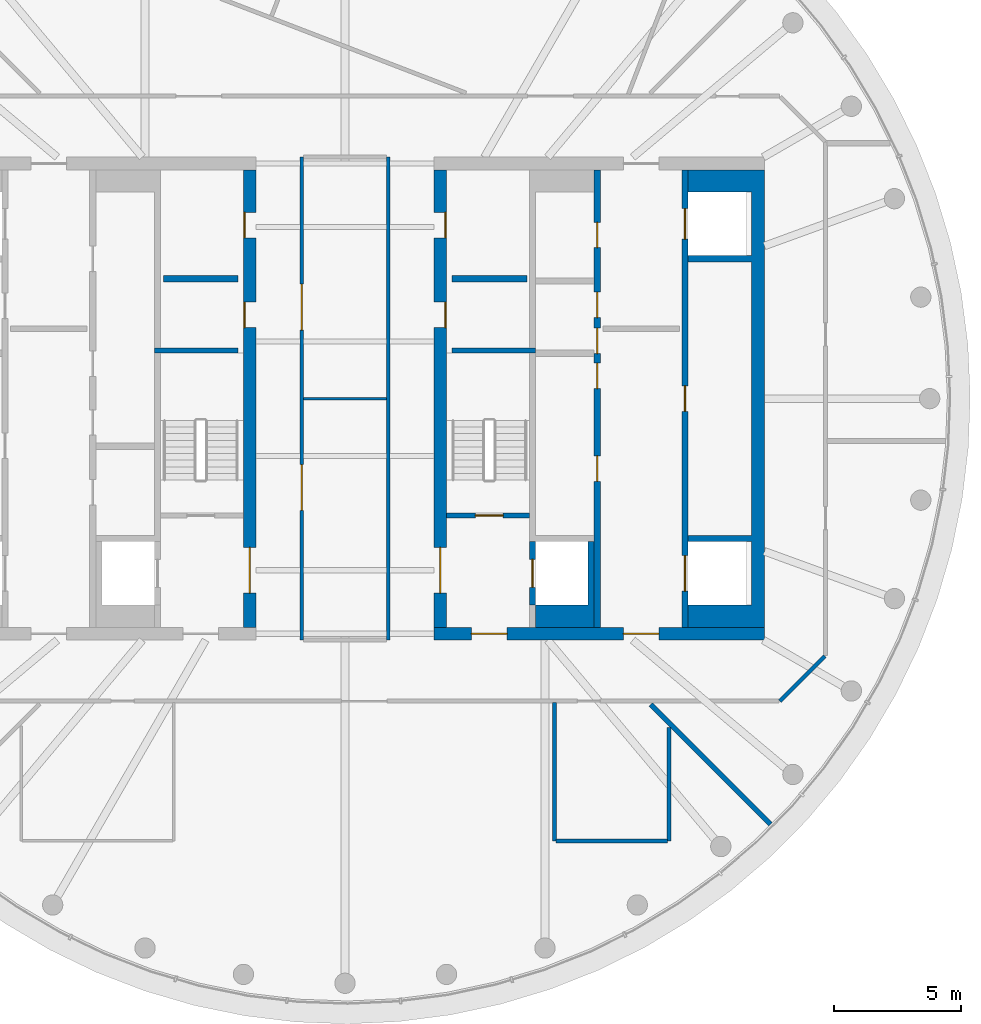
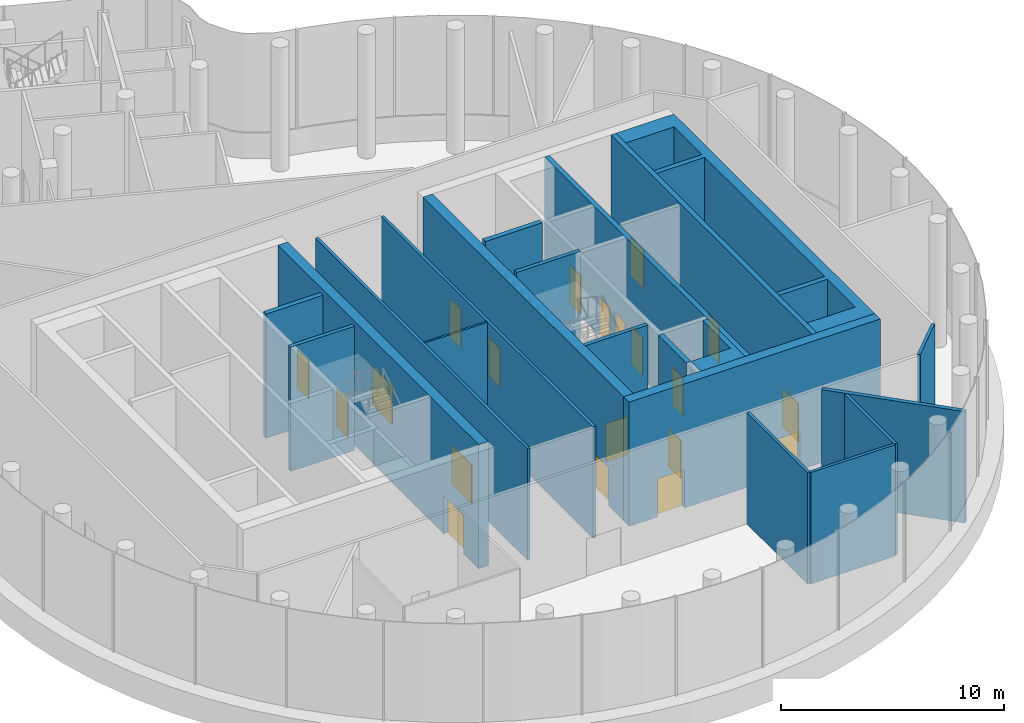
# One storey, part 9 of 12: 21 walls, 20 doors, 20 openings.
"""IFC4 building model written with IfcOpenShell, lengths in metres."""

from ifc_helpers import new_model, si_unit, direction, frame, frame_2d, origin, place, context, subcontext, project, spatial, polyline, rectangle, outline, extrude, material, layer, layer_set, type_object, element, fill, save


model = new_model("IFC4")

# Units and contexts
model_context = context("Model", 3, precision=1e-05, world=origin(), true_north=direction((0.0, 1.0)))
body_context = subcontext(model_context, "Body", "Model", "MODEL_VIEW")
ifc_project = project(units=[si_unit("LENGTHUNIT", "METRE"), si_unit("AREAUNIT", "SQUARE_METRE"), si_unit("VOLUMEUNIT", "CUBIC_METRE"), si_unit("PLANEANGLEUNIT", "RADIAN"), si_unit("MASSUNIT", "GRAM", prefix="KILO")], contexts=[model_context])

# Site, building, storey
site_placement = place(None, origin())
site = spatial("IfcSite", under=ifc_project, at=site_placement, CompositionType="ELEMENT")
building_placement = place(site_placement, origin())
building = spatial("IfcBuilding", under=site, at=building_placement, Name="Tamarind Cross Interchange Tower", CompositionType="ELEMENT")
storey_placement = place(building_placement, frame((0.0, 0.0, 287.39990234375)))
storey = spatial("IfcBuildingStorey", under=building, at=storey_placement, Name="L72", CompositionType="ELEMENT", Elevation=287.39990234375)

# Wall, openings, doors
ifc_material_1 = material(Name="Concrete C50", Category="concrete")
ifc_layer_1 = layer(ifc_material_1, 0.5)
ifc_layer_set_1 = layer_set([ifc_layer_1], Name="Concrete C50")
wall_type_1 = type_object("IfcWallType", Name="Core wall 500 mm Concrete C50", PredefinedType="SHEAR", material=ifc_layer_set_1)
wall_1_placement = place(storey_placement, frame((-3.75, -9.0, 0.0), z_axis=(0.0, 0.0, 1.0), x_axis=(0.0, 1.0, 0.0)))
wall_1 = element("IfcWall", 1, at=wall_1_placement, inside=storey, type_object=wall_type_1, Name="Core wall CWL-L72-W-IN", PredefinedType="SHEAR", context=body_context, shape_type="SweptSolid", body=[
    extrude(rectangle(XDim=18.0, YDim=0.5, at=frame_2d((9.0, 0.0))), origin(), (0.0, 0.0, 1.0), 6.800048828125),
])
opening_1_placement = place(wall_1_placement, frame((1.35009765625, 0.0, 0.0)))
opening_1 = element("IfcOpeningElement", 2, at=opening_1_placement, cuts=wall_1, Name="Opening DCW4", PredefinedType="OPENING", context=body_context, shape_type="SweptSolid", body=[
    extrude(rectangle(XDim=1.800048828125, YDim=2.10009765625, at=frame_2d((0.89990234375, 1.050048828125))), frame((0.0, 0.260009765625, 0.0), z_axis=(0.0, -1.0, 0.0), x_axis=(1.0, 0.0, 0.0)), (0.0, 0.0, 1.0), 0.52001953125),
])
opening_2_placement = place(wall_1_placement, frame((11.797607421875, 0.0, 0.0)))
opening_2 = element("IfcOpeningElement", 3, at=opening_2_placement, cuts=wall_1, Name="Opening DCW5", PredefinedType="OPENING", context=body_context, shape_type="SweptSolid", body=[
    extrude(rectangle(XDim=1.0, YDim=2.10009765625, at=frame_2d((0.5, 1.050048828125))), frame((0.0, 0.260009765625, 0.0), z_axis=(0.0, -1.0, 0.0), x_axis=(1.0, 0.0, 0.0)), (0.0, 0.0, 1.0), 0.52001953125),
])
opening_3_placement = place(wall_1_placement, frame((15.322509765625, 0.0, 0.0)))
opening_3 = element("IfcOpeningElement", 4, at=opening_3_placement, cuts=wall_1, Name="Opening DCW5", PredefinedType="OPENING", context=body_context, shape_type="SweptSolid", body=[
    extrude(rectangle(XDim=1.0, YDim=2.10009765625, at=frame_2d((0.5, 1.050048828125))), frame((0.0, 0.260009765625, 0.0), z_axis=(0.0, -1.0, 0.0), x_axis=(1.0, 0.0, 0.0)), (0.0, 0.0, 1.0), 0.52001953125),
])
ifc_material_2 = material(Name="Steel, fire-resisting", Category="steel")
door_type_1 = type_object("IfcDoorType", Name="Core fire door 1000 x 2100 FD90", OperationType="SINGLE_SWING_LEFT", PredefinedType="DOOR", material=ifc_material_2)
door_1_placement = place(opening_2_placement, origin())
door_1 = element("IfcDoor", 5, at=door_1_placement, inside=storey, type_object=door_type_1, Name="L72 catering store door", OperationType="SINGLE_SWING_LEFT", OverallHeight=2.10009765625, OverallWidth=1.0, PredefinedType="DOOR", context=body_context, shape_type="SweptSolid", body=[
    extrude(rectangle(XDim=1.0, YDim=2.10009765625, at=frame_2d((0.5, 1.050048828125))), frame((0.0, 0.22509765625, 0.0), z_axis=(0.0, -1.0, 0.0), x_axis=(1.0, 0.0, 0.0)), (0.0, 0.0, 1.0), 0.050048828125),
])
fill(opening_2, door_1)
door_2_placement = place(opening_3_placement, origin())
door_2 = element("IfcDoor", 6, at=door_2_placement, inside=storey, type_object=door_type_1, Name="L72 cleaner's store door", OperationType="SINGLE_SWING_LEFT", OverallHeight=2.10009765625, OverallWidth=1.0, PredefinedType="DOOR", context=body_context, shape_type="SweptSolid", body=[
    extrude(rectangle(XDim=1.0, YDim=2.10009765625, at=frame_2d((0.5, 1.050048828125))), frame((0.0, 0.22509765625, 0.0), z_axis=(0.0, -1.0, 0.0), x_axis=(1.0, 0.0, 0.0)), (0.0, 0.0, 1.0), 0.050048828125),
])
fill(opening_3, door_2)
door_type_2 = type_object("IfcDoorType", Name="Core fire door 1800 x 2100 FD90", OperationType="SINGLE_SWING_LEFT", PredefinedType="DOOR", material=ifc_material_2)
door_3_placement = place(opening_1_placement, origin())
door_3 = element("IfcDoor", 7, at=door_3_placement, inside=storey, type_object=door_type_2, Name="L72 firefighting lobby door", OperationType="SINGLE_SWING_LEFT", OverallHeight=2.10009765625, OverallWidth=1.800048828125, PredefinedType="DOOR", context=body_context, shape_type="SweptSolid", body=[
    extrude(rectangle(XDim=1.800048828125, YDim=2.10009765625, at=frame_2d((0.89990234375, 1.050048828125))), frame((0.0, 0.02490234375, 0.0), z_axis=(0.0, -1.0, 0.0), x_axis=(1.0, 0.0, 0.0)), (0.0, 0.0, 1.0), 0.050048828125),
])
fill(opening_1, door_3)

wall_2_placement = place(storey_placement, frame((16.5, -9.25, 0.0), z_axis=(0.0, 0.0, 1.0), x_axis=(-1.0, 0.0, 0.0)))
wall_2 = element("IfcWall", 8, at=wall_2_placement, inside=storey, type_object=wall_type_1, Name="Core wall CWL-L72-E-S", PredefinedType="SHEAR", context=body_context, shape_type="SweptSolid", body=[
    extrude(rectangle(XDim=13.0, YDim=0.5, at=frame_2d((6.5, 0.0))), origin(), (0.0, 0.0, 1.0), 6.800048828125),
])
opening_4_placement = place(wall_2_placement, frame((4.14990234375, 0.0, 0.0)))
opening_4 = element("IfcOpeningElement", 9, at=opening_4_placement, cuts=wall_2, Name="Opening DCE1", PredefinedType="OPENING", context=body_context, shape_type="SweptSolid", body=[
    extrude(rectangle(XDim=1.39990234375, YDim=2.10009765625, at=frame_2d((0.699951171875, 1.050048828125))), frame((0.0, 0.260009765625, 0.0), z_axis=(0.0, -1.0, 0.0), x_axis=(1.0, 0.0, 0.0)), (0.0, 0.0, 1.0), 0.52001953125),
])
opening_5_placement = place(wall_2_placement, frame((10.125, 0.0, 0.0)))
opening_5 = element("IfcOpeningElement", 10, at=opening_5_placement, cuts=wall_2, Name="Opening DCEF", PredefinedType="OPENING", context=body_context, shape_type="SweptSolid", body=[
    extrude(rectangle(XDim=1.39990234375, YDim=2.10009765625, at=frame_2d((0.699951171875, 1.050048828125))), frame((0.0, 0.260009765625, 0.0), z_axis=(0.0, -1.0, 0.0), x_axis=(1.0, 0.0, 0.0)), (0.0, 0.0, 1.0), 0.52001953125),
])
door_type_3 = type_object("IfcDoorType", Name="Core fire door 1400 x 2100 FD90", OperationType="SINGLE_SWING_LEFT", PredefinedType="DOOR", material=ifc_material_2)
door_4_placement = place(opening_4_placement, origin())
door_4 = element("IfcDoor", 11, at=door_4_placement, inside=storey, type_object=door_type_3, Name="L72 lift lobby door", OperationType="SINGLE_SWING_LEFT", OverallHeight=2.10009765625, OverallWidth=1.39990234375, PredefinedType="DOOR", context=body_context, shape_type="SweptSolid", body=[
    extrude(rectangle(XDim=1.39990234375, YDim=2.10009765625, at=frame_2d((0.699951171875, 1.050048828125))), frame((0.0, 0.02490234375, 0.0), z_axis=(0.0, -1.0, 0.0), x_axis=(1.0, 0.0, 0.0)), (0.0, 0.0, 1.0), 0.050048828125),
])
fill(opening_4, door_4)
door_5_placement = place(opening_5_placement, origin())
door_5 = element("IfcDoor", 12, at=door_5_placement, inside=storey, type_object=door_type_3, Name="L72 firefighting lobby end door", OperationType="SINGLE_SWING_LEFT", OverallHeight=2.10009765625, OverallWidth=1.39990234375, PredefinedType="DOOR", context=body_context, shape_type="SweptSolid", body=[
    extrude(rectangle(XDim=1.39990234375, YDim=2.10009765625, at=frame_2d((0.699951171875, 1.050048828125))), frame((0.0, 0.02490234375, 0.0), z_axis=(0.0, -1.0, 0.0), x_axis=(1.0, 0.0, 0.0)), (0.0, 0.0, 1.0), 0.050048828125),
])
fill(opening_5, door_5)

# Wall
wall_3_placement = place(storey_placement, origin())
element("IfcWall", 13, at=wall_3_placement, inside=storey, type_object=wall_type_1, Name="Core wall CWL-L72-E-A", PredefinedType="SHEAR", context=body_context, shape_type="SweptSolid", body=[
    extrude(outline(polyline([(13.5, -8.125), (13.5, -9.0), (16.0, -9.0), (16.5, -9.0), (16.5, 9.0), (16.0, 9.0), (13.5, 9.0), (13.5, 8.125), (16.0, 8.125), (16.0, 5.625), (13.5, 5.625), (13.5, 5.375), (16.0, 5.375), (16.0, -5.375), (13.5, -5.375), (13.5, -5.625), (16.0, -5.625), (16.0, -8.125), (13.5, -8.125)])), origin(), (0.0, 0.0, 1.0), 6.800048828125),
])

# Wall, openings, doors
wall_4_placement = place(storey_placement, frame((3.75, -9.0, 0.0), z_axis=(0.0, 0.0, 1.0), x_axis=(0.0, 1.0, 0.0)))
wall_4 = element("IfcWall", 14, at=wall_4_placement, inside=storey, type_object=wall_type_1, Name="Core wall CWL-L72-E-IN", PredefinedType="SHEAR", context=body_context, shape_type="SweptSolid", body=[
    extrude(rectangle(XDim=18.0, YDim=0.5, at=frame_2d((9.0, 0.0))), origin(), (0.0, 0.0, 1.0), 6.800048828125),
])
opening_6_placement = place(wall_4_placement, frame((1.35009765625, 0.0, 0.0)))
opening_6 = element("IfcOpeningElement", 15, at=opening_6_placement, cuts=wall_4, Name="Opening DCE4", PredefinedType="OPENING", context=body_context, shape_type="SweptSolid", body=[
    extrude(rectangle(XDim=1.800048828125, YDim=2.10009765625, at=frame_2d((0.89990234375, 1.050048828125))), frame((0.0, 0.260009765625, 0.0), z_axis=(0.0, -1.0, 0.0), x_axis=(1.0, 0.0, 0.0)), (0.0, 0.0, 1.0), 0.52001953125),
])
opening_7_placement = place(wall_4_placement, frame((11.797607421875, 0.0, 0.0)))
opening_7 = element("IfcOpeningElement", 16, at=opening_7_placement, cuts=wall_4, Name="Opening DCE5", PredefinedType="OPENING", context=body_context, shape_type="SweptSolid", body=[
    extrude(rectangle(XDim=1.0, YDim=2.10009765625, at=frame_2d((0.5, 1.050048828125))), frame((0.0, 0.260009765625, 0.0), z_axis=(0.0, -1.0, 0.0), x_axis=(1.0, 0.0, 0.0)), (0.0, 0.0, 1.0), 0.52001953125),
])
opening_8_placement = place(wall_4_placement, frame((15.322509765625, 0.0, 0.0)))
opening_8 = element("IfcOpeningElement", 17, at=opening_8_placement, cuts=wall_4, Name="Opening DCE5", PredefinedType="OPENING", context=body_context, shape_type="SweptSolid", body=[
    extrude(rectangle(XDim=1.0, YDim=2.10009765625, at=frame_2d((0.5, 1.050048828125))), frame((0.0, 0.260009765625, 0.0), z_axis=(0.0, -1.0, 0.0), x_axis=(1.0, 0.0, 0.0)), (0.0, 0.0, 1.0), 0.52001953125),
])
door_6_placement = place(opening_7_placement, origin())
door_6 = element("IfcDoor", 18, at=door_6_placement, inside=storey, type_object=door_type_1, Name="L72 catering store door", OperationType="SINGLE_SWING_LEFT", OverallHeight=2.10009765625, OverallWidth=1.0, PredefinedType="DOOR", context=body_context, shape_type="SweptSolid", body=[
    extrude(rectangle(XDim=1.0, YDim=2.10009765625, at=frame_2d((0.5, 1.050048828125))), frame((0.0, -0.1748046875, 0.0), z_axis=(0.0, -1.0, 0.0), x_axis=(1.0, 0.0, 0.0)), (0.0, 0.0, 1.0), 0.050048828125),
])
fill(opening_7, door_6)
door_7_placement = place(opening_8_placement, origin())
door_7 = element("IfcDoor", 19, at=door_7_placement, inside=storey, type_object=door_type_1, Name="L72 cleaner's store door", OperationType="SINGLE_SWING_LEFT", OverallHeight=2.10009765625, OverallWidth=1.0, PredefinedType="DOOR", context=body_context, shape_type="SweptSolid", body=[
    extrude(rectangle(XDim=1.0, YDim=2.10009765625, at=frame_2d((0.5, 1.050048828125))), frame((0.0, -0.1748046875, 0.0), z_axis=(0.0, -1.0, 0.0), x_axis=(1.0, 0.0, 0.0)), (0.0, 0.0, 1.0), 0.050048828125),
])
fill(opening_8, door_7)
door_8_placement = place(opening_6_placement, origin())
door_8 = element("IfcDoor", 20, at=door_8_placement, inside=storey, type_object=door_type_2, Name="L72 firefighting lobby door", OperationType="SINGLE_SWING_LEFT", OverallHeight=2.10009765625, OverallWidth=1.800048828125, PredefinedType="DOOR", context=body_context, shape_type="SweptSolid", body=[
    extrude(rectangle(XDim=1.800048828125, YDim=2.10009765625, at=frame_2d((0.89990234375, 1.050048828125))), frame((0.0, 0.02490234375, 0.0), z_axis=(0.0, -1.0, 0.0), x_axis=(1.0, 0.0, 0.0)), (0.0, 0.0, 1.0), 0.050048828125),
])
fill(opening_6, door_8)

# Walls
ifc_layer_2 = layer(ifc_material_1, 0.199951171875)
ifc_layer_set_2 = layer_set([ifc_layer_2], Name="Concrete C50")
wall_type_2 = type_object("IfcWallType", Name="Core web wall 200 mm Concrete C50", PredefinedType="SHEAR", material=ifc_layer_set_2)
for number, where, z_axis, x_axis, name in (
    (21, (-7.5, 1.89990234375, 0.0), (0.0, 0.0, 1.0), (1.0, 0.0, 0.0), "Core wall CWL-L72-W-BD"),
    (22, (7.5, 1.89990234375, 0.0), (0.0, 0.0, 1.0), (-1.0, 0.0, 0.0), "Core wall CWL-L72-E-BD"),
):
    element("IfcWall", number, at=place(storey_placement, frame(where, z_axis=z_axis, x_axis=x_axis)), inside=storey, type_object=wall_type_2, Name=name, PredefinedType="SHEAR", context=body_context, shape_type="SweptSolid", body=[
        extrude(rectangle(XDim=3.300048828125, YDim=0.199951171875, at=frame_2d((1.64990234375, 0.0))), origin(), (0.0, 0.0, 1.0), 6.800048828125),
    ])
ifc_layer_3 = layer(ifc_material_1, 0.25)
ifc_layer_set_3 = layer_set([ifc_layer_3], Name="Concrete C50")
wall_type_3 = type_object("IfcWallType", Name="Core web wall 250 mm Concrete C50", PredefinedType="SHEAR", material=ifc_layer_set_3)
wall_5_placement = place(storey_placement, origin())
element("IfcWall", 23, at=wall_5_placement, inside=storey, type_object=wall_type_3, Name="Core wall CWL-L72-E-BS", PredefinedType="SHEAR", context=body_context, shape_type="SweptSolid", body=[
    extrude(outline(polyline([(7.5, -8.125), (7.5, -9.0), (9.800048828125, -9.0), (9.800048828125, -8.125), (9.800048828125, -5.625), (9.550048828125, -5.625), (9.550048828125, -8.125), (7.5, -8.125)])), origin(), (0.0, 0.0, 1.0), 6.800048828125),
])

# Wall, openings, doors
wall_6_placement = place(storey_placement, frame((13.375, -9.0, 0.0), z_axis=(0.0, 0.0, 1.0), x_axis=(0.0, 1.0, 0.0)))
wall_6 = element("IfcWall", 24, at=wall_6_placement, inside=storey, type_object=wall_type_3, Name="Core wall CWL-L72-E-LA", PredefinedType="SHEAR", context=body_context, shape_type="SweptSolid", body=[
    extrude(rectangle(XDim=18.0, YDim=0.25, at=frame_2d((9.0, 0.0))), origin(), (0.0, 0.0, 1.0), 6.800048828125),
])
opening_9_placement = place(wall_6_placement, frame((1.425048828125, 0.0, 0.0)))
opening_9 = element("IfcOpeningElement", 25, at=opening_9_placement, cuts=wall_6, Name="Opening LD13L72", PredefinedType="OPENING", context=body_context, shape_type="SweptSolid", body=[
    extrude(rectangle(XDim=1.39990234375, YDim=2.10009765625, at=frame_2d((0.699951171875, 1.050048828125))), frame((0.0, 0.135009765625, 0.0), z_axis=(0.0, -1.0, 0.0), x_axis=(1.0, 0.0, 0.0)), (0.0, 0.0, 1.0), 0.27001953125),
])
opening_10_placement = place(wall_6_placement, frame((15.27490234375, 0.0, 0.0)))
opening_10 = element("IfcOpeningElement", 26, at=opening_10_placement, cuts=wall_6, Name="Opening LD18L72", PredefinedType="OPENING", context=body_context, shape_type="SweptSolid", body=[
    extrude(rectangle(XDim=1.199951171875, YDim=2.10009765625, at=frame_2d((0.60009765625, 1.050048828125))), frame((0.0, 0.135009765625, 0.0), z_axis=(0.0, -1.0, 0.0), x_axis=(1.0, 0.0, 0.0)), (0.0, 0.0, 1.0), 0.27001953125),
])
opening_11_placement = place(wall_6_placement, frame((8.5, 0.0, 0.0)))
opening_11 = element("IfcOpeningElement", 27, at=opening_11_placement, cuts=wall_6, Name="Opening DCE9", PredefinedType="OPENING", context=body_context, shape_type="SweptSolid", body=[
    extrude(rectangle(XDim=1.0, YDim=2.10009765625, at=frame_2d((0.5, 1.050048828125))), frame((0.0, 0.135009765625, 0.0), z_axis=(0.0, -1.0, 0.0), x_axis=(1.0, 0.0, 0.0)), (0.0, 0.0, 1.0), 0.27001953125),
])
door_9_placement = place(opening_11_placement, origin())
door_9 = element("IfcDoor", 28, at=door_9_placement, inside=storey, type_object=door_type_1, Name="L72 Guide's room door", OperationType="SINGLE_SWING_LEFT", OverallHeight=2.10009765625, OverallWidth=1.0, PredefinedType="DOOR", context=body_context, shape_type="SweptSolid", body=[
    extrude(rectangle(XDim=1.0, YDim=2.10009765625, at=frame_2d((0.5, 1.050048828125))), frame((0.0, 0.02490234375, 0.0), z_axis=(0.0, -1.0, 0.0), x_axis=(1.0, 0.0, 0.0)), (0.0, 0.0, 1.0), 0.050048828125),
])
fill(opening_11, door_9)
ifc_material_3 = material(Name="Stainless steel panel", Category="steel")
door_type_4 = type_object("IfcDoorType", Name="Lift landing door 1200 x 2100 E 120", OperationType="SLIDING_TO_LEFT", PredefinedType="DOOR", material=ifc_material_3)
door_10_placement = place(opening_10_placement, origin())
door_10 = element("IfcDoor", 29, at=door_10_placement, inside=storey, type_object=door_type_4, Name="L72 landing door LF18", OperationType="SLIDING_TO_LEFT", OverallHeight=2.10009765625, OverallWidth=1.199951171875, PredefinedType="DOOR", context=body_context, shape_type="SweptSolid", body=[
    extrude(rectangle(XDim=1.199951171875, YDim=2.10009765625, at=frame_2d((0.60009765625, 1.050048828125))), frame((0.0, 0.02490234375, 0.0), z_axis=(0.0, -1.0, 0.0), x_axis=(1.0, 0.0, 0.0)), (0.0, 0.0, 1.0), 0.050048828125),
])
fill(opening_10, door_10)
door_type_5 = type_object("IfcDoorType", Name="Lift landing door 1400 x 2100 E 120", OperationType="SLIDING_TO_LEFT", PredefinedType="DOOR", material=ifc_material_3)
door_11_placement = place(opening_9_placement, origin())
door_11 = element("IfcDoor", 30, at=door_11_placement, inside=storey, type_object=door_type_5, Name="L72 landing door LF13", OperationType="SLIDING_TO_LEFT", OverallHeight=2.10009765625, OverallWidth=1.39990234375, PredefinedType="DOOR", context=body_context, shape_type="SweptSolid", body=[
    extrude(rectangle(XDim=1.39990234375, YDim=2.10009765625, at=frame_2d((0.699951171875, 1.050048828125))), frame((0.0, 0.02490234375, 0.0), z_axis=(0.0, -1.0, 0.0), x_axis=(1.0, 0.0, 0.0)), (0.0, 0.0, 1.0), 0.050048828125),
])
fill(opening_9, door_11)

wall_7_placement = place(storey_placement, frame((9.925048828125, -9.0, 0.0), z_axis=(0.0, 0.0, 1.0), x_axis=(0.0, 1.0, 0.0)))
wall_7 = element("IfcWall", 31, at=wall_7_placement, inside=storey, type_object=wall_type_3, Name="Core wall CWL-L72-E-LB", PredefinedType="SHEAR", context=body_context, shape_type="SweptSolid", body=[
    extrude(rectangle(XDim=18.0, YDim=0.25, at=frame_2d((9.0, 0.0))), origin(), (0.0, 0.0, 1.0), 6.800048828125),
])
opening_12_placement = place(wall_7_placement, frame((5.75, 0.0, 0.0)))
opening_12 = element("IfcOpeningElement", 32, at=opening_12_placement, cuts=wall_7, Name="Opening DCE21", PredefinedType="OPENING", context=body_context, shape_type="SweptSolid", body=[
    extrude(rectangle(XDim=1.0, YDim=2.10009765625, at=frame_2d((0.5, 1.050048828125))), frame((0.0, 0.135009765625, 0.0), z_axis=(0.0, -1.0, 0.0), x_axis=(1.0, 0.0, 0.0)), (0.0, 0.0, 1.0), 0.27001953125),
])
opening_13_placement = place(wall_7_placement, frame((9.39599609375, 0.0, 0.0)))
opening_13 = element("IfcOpeningElement", 33, at=opening_13_placement, cuts=wall_7, Name="Opening DCE21", PredefinedType="OPENING", context=body_context, shape_type="SweptSolid", body=[
    extrude(rectangle(XDim=1.0, YDim=2.10009765625, at=frame_2d((0.5, 1.050048828125))), frame((0.0, 0.135009765625, 0.0), z_axis=(0.0, -1.0, 0.0), x_axis=(1.0, 0.0, 0.0)), (0.0, 0.0, 1.0), 0.27001953125),
])
opening_14_placement = place(wall_7_placement, frame((10.77099609375, 0.0, 0.0)))
opening_14 = element("IfcOpeningElement", 34, at=opening_14_placement, cuts=wall_7, Name="Opening DCE22", PredefinedType="OPENING", context=body_context, shape_type="SweptSolid", body=[
    extrude(rectangle(XDim=1.0, YDim=2.10009765625, at=frame_2d((0.5, 1.050048828125))), frame((0.0, 0.135009765625, 0.0), z_axis=(0.0, -1.0, 0.0), x_axis=(1.0, 0.0, 0.0)), (0.0, 0.0, 1.0), 0.27001953125),
])
opening_15_placement = place(wall_7_placement, frame((12.1875, 0.0, 0.0)))
opening_15 = element("IfcOpeningElement", 35, at=opening_15_placement, cuts=wall_7, Name="Opening DCE21", PredefinedType="OPENING", context=body_context, shape_type="SweptSolid", body=[
    extrude(rectangle(XDim=1.0, YDim=2.10009765625, at=frame_2d((0.5, 1.050048828125))), frame((0.0, 0.135009765625, 0.0), z_axis=(0.0, -1.0, 0.0), x_axis=(1.0, 0.0, 0.0)), (0.0, 0.0, 1.0), 0.27001953125),
])
opening_16_placement = place(wall_7_placement, frame((14.9375, 0.0, 0.0)))
opening_16 = element("IfcOpeningElement", 36, at=opening_16_placement, cuts=wall_7, Name="Opening DCE22", PredefinedType="OPENING", context=body_context, shape_type="SweptSolid", body=[
    extrude(rectangle(XDim=1.0, YDim=2.10009765625, at=frame_2d((0.5, 1.050048828125))), frame((0.0, 0.135009765625, 0.0), z_axis=(0.0, -1.0, 0.0), x_axis=(1.0, 0.0, 0.0)), (0.0, 0.0, 1.0), 0.27001953125),
])
door_12_placement = place(opening_12_placement, origin())
door_12 = element("IfcDoor", 37, at=door_12_placement, inside=storey, type_object=door_type_1, Name="L72 Cleaner's store door", OperationType="SINGLE_SWING_LEFT", OverallHeight=2.10009765625, OverallWidth=1.0, PredefinedType="DOOR", context=body_context, shape_type="SweptSolid", body=[
    extrude(rectangle(XDim=1.0, YDim=2.10009765625, at=frame_2d((0.5, 1.050048828125))), frame((0.0, 0.02490234375, 0.0), z_axis=(0.0, -1.0, 0.0), x_axis=(1.0, 0.0, 0.0)), (0.0, 0.0, 1.0), 0.050048828125),
])
fill(opening_12, door_12)
door_13_placement = place(opening_13_placement, origin())
door_13 = element("IfcDoor", 38, at=door_13_placement, inside=storey, type_object=door_type_1, Name="L72 First aid room door", OperationType="SINGLE_SWING_LEFT", OverallHeight=2.10009765625, OverallWidth=1.0, PredefinedType="DOOR", context=body_context, shape_type="SweptSolid", body=[
    extrude(rectangle(XDim=1.0, YDim=2.10009765625, at=frame_2d((0.5, 1.050048828125))), frame((0.0, 0.02490234375, 0.0), z_axis=(0.0, -1.0, 0.0), x_axis=(1.0, 0.0, 0.0)), (0.0, 0.0, 1.0), 0.050048828125),
])
fill(opening_13, door_13)
door_14_placement = place(opening_14_placement, origin())
door_14 = element("IfcDoor", 39, at=door_14_placement, inside=storey, type_object=door_type_1, Name="L72 Catering store door", OperationType="SINGLE_SWING_LEFT", OverallHeight=2.10009765625, OverallWidth=1.0, PredefinedType="DOOR", context=body_context, shape_type="SweptSolid", body=[
    extrude(rectangle(XDim=1.0, YDim=2.10009765625, at=frame_2d((0.5, 1.050048828125))), frame((0.0, 0.02490234375, 0.0), z_axis=(0.0, -1.0, 0.0), x_axis=(1.0, 0.0, 0.0)), (0.0, 0.0, 1.0), 0.050048828125),
])
fill(opening_14, door_14)
door_15_placement = place(opening_15_placement, origin())
door_15 = element("IfcDoor", 40, at=door_15_placement, inside=storey, type_object=door_type_1, Name="L72 Catering store door", OperationType="SINGLE_SWING_LEFT", OverallHeight=2.10009765625, OverallWidth=1.0, PredefinedType="DOOR", context=body_context, shape_type="SweptSolid", body=[
    extrude(rectangle(XDim=1.0, YDim=2.10009765625, at=frame_2d((0.5, 1.050048828125))), frame((0.0, 0.02490234375, 0.0), z_axis=(0.0, -1.0, 0.0), x_axis=(1.0, 0.0, 0.0)), (0.0, 0.0, 1.0), 0.050048828125),
])
fill(opening_15, door_15)
door_16_placement = place(opening_16_placement, origin())
door_16 = element("IfcDoor", 41, at=door_16_placement, inside=storey, type_object=door_type_1, Name="L72 Cleaner's store door", OperationType="SINGLE_SWING_LEFT", OverallHeight=2.10009765625, OverallWidth=1.0, PredefinedType="DOOR", context=body_context, shape_type="SweptSolid", body=[
    extrude(rectangle(XDim=1.0, YDim=2.10009765625, at=frame_2d((0.5, 1.050048828125))), frame((0.0, 0.02490234375, 0.0), z_axis=(0.0, -1.0, 0.0), x_axis=(1.0, 0.0, 0.0)), (0.0, 0.0, 1.0), 0.050048828125),
])
fill(opening_16, door_16)

# Wall, opening, door
wall_8_placement = place(storey_placement, frame((7.375, -8.125, 0.0), z_axis=(0.0, 0.0, 1.0), x_axis=(0.0, 1.0, 0.0)))
wall_8 = element("IfcWall", 42, at=wall_8_placement, inside=storey, type_object=wall_type_3, Name="Core wall CWL-L72-E-FF", PredefinedType="SHEAR", context=body_context, shape_type="SweptSolid", body=[
    extrude(rectangle(XDim=2.5, YDim=0.25, at=frame_2d((1.25, 0.0))), origin(), (0.0, 0.0, 1.0), 6.800048828125),
])
opening_17_placement = place(wall_8_placement, frame((0.699951171875, 0.0, 0.0)))
opening_17 = element("IfcOpeningElement", 43, at=opening_17_placement, cuts=wall_8, Name="Opening LD19L72", PredefinedType="OPENING", context=body_context, shape_type="SweptSolid", body=[
    extrude(rectangle(XDim=1.10009765625, YDim=2.10009765625, at=frame_2d((0.550048828125, 1.050048828125))), frame((0.0, 0.135009765625, 0.0), z_axis=(0.0, -1.0, 0.0), x_axis=(1.0, 0.0, 0.0)), (0.0, 0.0, 1.0), 0.27001953125),
])
door_type_6 = type_object("IfcDoorType", Name="Lift landing door 1100 x 2100 E 120", OperationType="SLIDING_TO_LEFT", PredefinedType="DOOR", material=ifc_material_3)
door_17_placement = place(opening_17_placement, origin())
door_17 = element("IfcDoor", 44, at=door_17_placement, inside=storey, type_object=door_type_6, Name="L72 landing door LF19", OperationType="SLIDING_TO_LEFT", OverallHeight=2.10009765625, OverallWidth=1.10009765625, PredefinedType="DOOR", context=body_context, shape_type="SweptSolid", body=[
    extrude(rectangle(XDim=1.10009765625, YDim=2.10009765625, at=frame_2d((0.550048828125, 1.050048828125))), frame((0.0, 0.02490234375, 0.0), z_axis=(0.0, -1.0, 0.0), x_axis=(1.0, 0.0, 0.0)), (0.0, 0.0, 1.0), 0.050048828125),
])
fill(opening_17, door_17)

# Walls
ifc_material_4 = material(Name="Gypsum board partition on steel studs", Category="steel")
ifc_layer_4 = layer(ifc_material_4, 0.10009765625)
ifc_layer_set_4 = layer_set([ifc_layer_4], Name="Gypsum board partition on steel studs")
wall_type_4 = type_object("IfcWallType", Name="Partition 100 mm EI 120", PredefinedType="PARTITIONING", material=ifc_layer_set_4)
wall_9_placement = place(storey_placement, frame((-1.639892578125, 0.0, 0.0), z_axis=(0.0, 0.0, 1.0), x_axis=(1.0, 0.0, 0.0)))
element("IfcWall", 45, at=wall_9_placement, inside=storey, type_object=wall_type_4, Name="Partition L72-017", PredefinedType="PARTITIONING", context=body_context, shape_type="SweptSolid", body=[
    extrude(rectangle(XDim=3.27978515625, YDim=0.10009765625, at=frame_2d((1.639892578125, 0.0))), origin(), (0.0, 0.0, 1.0), 6.10009765625),
])
ifc_layer_5 = layer(ifc_material_4, 0.14990234375)
ifc_layer_set_5 = layer_set([ifc_layer_5], Name="Gypsum board partition on steel studs")
wall_type_5 = type_object("IfcWallType", Name="Partition 150 mm EI 120", PredefinedType="PARTITIONING", material=ifc_layer_set_5)
wall_10_placement = place(storey_placement, frame((8.2958984375, -17.39990234375, 0.0), z_axis=(0.0, 0.0, 1.0), x_axis=(1.0, 0.0, 0.0)))
element("IfcWall", 46, at=wall_10_placement, inside=storey, type_object=wall_type_5, Name="Partition L72-015", PredefinedType="PARTITIONING", context=body_context, shape_type="SweptSolid", body=[
    extrude(rectangle(XDim=4.39013671875, YDim=0.14990234375, at=frame_2d((2.195068359375, 0.0))), origin(), (0.0, 0.0, 1.0), 6.10009765625),
])
wall_11_placement = place(storey_placement, frame((17.10009765625, -11.89990234375, 0.0), z_axis=(0.0, 0.0, 1.0), x_axis=(0.707106781187, 0.707106781187, 0.0)))
element("IfcWall", 47, at=wall_11_placement, inside=storey, type_object=wall_type_5, Name="Partition L72-024", PredefinedType="PARTITIONING", context=body_context, shape_type="SweptSolid", body=[
    extrude(rectangle(XDim=2.50537109375, YDim=0.14990234375, at=frame_2d((1.252685546875, 0.0))), origin(), (0.0, 0.0, 1.0), 6.10009765625),
])

# Wall, openings, doors
wall_12_placement = place(storey_placement, frame((-1.699951171875, -9.5, 0.0), z_axis=(0.0, 0.0, 1.0), x_axis=(0.0, 1.0, 0.0)))
wall_12 = element("IfcWall", 48, at=wall_12_placement, inside=storey, type_object=wall_type_5, Name="Partition L72-040", PredefinedType="PARTITIONING", context=body_context, shape_type="SweptSolid", body=[
    extrude(rectangle(XDim=19.0, YDim=0.14990234375, at=frame_2d((9.5, 0.0))), origin(), (0.0, 0.0, 1.0), 6.10009765625),
])
opening_18_placement = place(wall_12_placement, frame((5.10009765625, 0.0, 0.0)))
opening_18 = element("IfcOpeningElement", 49, at=opening_18_placement, cuts=wall_12, Name="Opening D18", PredefinedType="OPENING", context=body_context, shape_type="SweptSolid", body=[
    extrude(rectangle(XDim=1.800048828125, YDim=2.10009765625, at=frame_2d((0.89990234375, 1.050048828125))), frame((0.0, 0.0849609375, 0.0), z_axis=(0.0, -1.0, 0.0), x_axis=(1.0, 0.0, 0.0)), (0.0, 0.0, 1.0), 0.169921875),
])
opening_19_placement = place(wall_12_placement, frame((12.199951171875, 0.0, 0.0)))
opening_19 = element("IfcOpeningElement", 50, at=opening_19_placement, cuts=wall_12, Name="Opening D19", PredefinedType="OPENING", context=body_context, shape_type="SweptSolid", body=[
    extrude(rectangle(XDim=1.800048828125, YDim=2.10009765625, at=frame_2d((0.89990234375, 1.050048828125))), frame((0.0, 0.0849609375, 0.0), z_axis=(0.0, -1.0, 0.0), x_axis=(1.0, 0.0, 0.0)), (0.0, 0.0, 1.0), 0.169921875),
])
ifc_material_5 = material(Name="Fire-resisting door set")
door_type_7 = type_object("IfcDoorType", Name="Interior door 1800 x 2100 FD60S", OperationType="DOUBLE_DOOR_SINGLE_SWING", PredefinedType="DOOR", material=ifc_material_5)
door_18_placement = place(opening_18_placement, frame((1.800048828125, 0.0, 0.0), z_axis=(0.0, 0.0, 1.0), x_axis=(-1.0, 0.0, 0.0)))
door_18 = element("IfcDoor", 51, at=door_18_placement, inside=storey, type_object=door_type_7, Name="Door D18", OperationType="DOUBLE_DOOR_SINGLE_SWING", OverallHeight=2.10009765625, OverallWidth=1.800048828125, PredefinedType="DOOR", context=body_context, shape_type="SweptSolid", body=[
    extrude(rectangle(XDim=1.800048828125, YDim=2.10009765625, at=frame_2d((0.89990234375, 1.050048828125))), frame((0.0, 0.02490234375, 0.0), z_axis=(0.0, -1.0, 0.0), x_axis=(1.0, 0.0, 0.0)), (0.0, 0.0, 1.0), 0.050048828125),
])
fill(opening_18, door_18)
door_19_placement = place(opening_19_placement, frame((1.800048828125, 0.0, 0.0), z_axis=(0.0, 0.0, 1.0), x_axis=(-1.0, 0.0, 0.0)))
door_19 = element("IfcDoor", 52, at=door_19_placement, inside=storey, type_object=door_type_7, Name="Door D19", OperationType="DOUBLE_DOOR_SINGLE_SWING", OverallHeight=2.10009765625, OverallWidth=1.800048828125, PredefinedType="DOOR", context=body_context, shape_type="SweptSolid", body=[
    extrude(rectangle(XDim=1.800048828125, YDim=2.10009765625, at=frame_2d((0.89990234375, 1.050048828125))), frame((0.0, 0.02490234375, 0.0), z_axis=(0.0, -1.0, 0.0), x_axis=(1.0, 0.0, 0.0)), (0.0, 0.0, 1.0), 0.050048828125),
])
fill(opening_19, door_19)

# Walls
wall_13_placement = place(storey_placement, frame((1.699951171875, -9.5, 0.0), z_axis=(0.0, 0.0, 1.0), x_axis=(0.0, 1.0, 0.0)))
element("IfcWall", 53, at=wall_13_placement, inside=storey, type_object=wall_type_5, Name="Partition L72-041", PredefinedType="PARTITIONING", context=body_context, shape_type="SweptSolid", body=[
    extrude(rectangle(XDim=19.0, YDim=0.14990234375, at=frame_2d((9.5, 0.0))), origin(), (0.0, 0.0, 1.0), 6.10009765625),
])
wall_14_placement = place(storey_placement, frame((8.240966796875, -17.39990234375, 0.0), z_axis=(0.0, 0.0, 1.0), x_axis=(0.0, 1.0, 0.0)))
element("IfcWall", 54, at=wall_14_placement, inside=storey, type_object=wall_type_5, Name="Partition L72-042", PredefinedType="PARTITIONING", context=body_context, shape_type="SweptSolid", body=[
    extrude(rectangle(XDim=5.44482421875, YDim=0.14990234375, at=frame_2d((2.722412109375, 0.0))), origin(), (0.0, 0.0, 1.0), 6.10009765625),
])
wall_15_placement = place(storey_placement, frame((12.740966796875, -17.39990234375, 0.0), z_axis=(0.0, 0.0, 1.0), x_axis=(0.0, 1.0, 0.0)))
element("IfcWall", 55, at=wall_15_placement, inside=storey, type_object=wall_type_5, Name="Partition L72-043", PredefinedType="PARTITIONING", context=body_context, shape_type="SweptSolid", body=[
    extrude(rectangle(XDim=4.458984375, YDim=0.14990234375, at=frame_2d((2.2294921875, 0.0))), origin(), (0.0, 0.0, 1.0), 6.10009765625),
])
ifc_layer_6 = layer(ifc_material_4, 0.199951171875)
ifc_layer_set_6 = layer_set([ifc_layer_6], Name="Gypsum board partition on steel studs")
wall_type_6 = type_object("IfcWallType", Name="Partition 200 mm EI 180", PredefinedType="PARTITIONING", material=ifc_layer_set_6)
wall_16_placement = place(storey_placement, frame((12.02734375, -12.02734375, 0.0), z_axis=(0.0, 0.0, 1.0), x_axis=(0.707106781187, -0.707106781187, 0.0)))
element("IfcWall", 56, at=wall_16_placement, inside=storey, type_object=wall_type_6, Name="Partition L72-003", PredefinedType="PARTITIONING", context=body_context, shape_type="SweptSolid", body=[
    extrude(rectangle(XDim=6.665283203125, YDim=0.199951171875, at=frame_2d((3.33251953125, 0.0))), origin(), (0.0, 0.0, 1.0), 6.10009765625),
])
ifc_material_6 = material(Name="Concrete C40", Category="concrete")
ifc_layer_7 = layer(ifc_material_6, 0.25)
ifc_layer_set_7 = layer_set([ifc_layer_7], Name="Concrete C40")
wall_type_7 = type_object("IfcWallType", Name="Shaft and lobby wall 250 mm Concrete C40", PredefinedType="PARTITIONING", material=ifc_layer_set_7)
for number, where, z_axis, x_axis, name in (
    (57, (-7.14990234375, 4.719970703125, 0.0), (0.0, 0.0, 1.0), (1.0, 0.0, 0.0), "Shaft wall CWL-L72-W-SVP"),
    (58, (7.14990234375, 4.719970703125, 0.0), (0.0, 0.0, 1.0), (-1.0, 0.0, 0.0), "Shaft wall CWL-L72-E-SVP"),
):
    element("IfcWall", number, at=place(storey_placement, frame(where, z_axis=z_axis, x_axis=x_axis)), inside=storey, type_object=wall_type_7, Name=name, PredefinedType="PARTITIONING", context=body_context, shape_type="SweptSolid", body=[
        extrude(rectangle(XDim=2.949951171875, YDim=0.25, at=frame_2d((1.47509765625, 0.0))), origin(), (0.0, 0.0, 1.0), 6.800048828125),
    ])

# Wall, opening, door
ifc_layer_8 = layer(ifc_material_6, 0.199951171875)
ifc_layer_set_8 = layer_set([ifc_layer_8], Name="Concrete C40")
wall_type_8 = type_object("IfcWallType", Name="Stair shaft wall 200 mm Concrete C40", PredefinedType="SHEAR", material=ifc_layer_set_8)
wall_17_placement = place(storey_placement, frame((7.25, -4.60009765625, 0.0), z_axis=(0.0, 0.0, 1.0), x_axis=(-1.0, 0.0, 0.0)))
wall_17 = element("IfcWall", 59, at=wall_17_placement, inside=storey, type_object=wall_type_8, Name="Core wall CWL-L72-E-SD", PredefinedType="SHEAR", context=body_context, shape_type="SweptSolid", body=[
    extrude(rectangle(XDim=3.25, YDim=0.199951171875, at=frame_2d((1.625, 0.0))), origin(), (0.0, 0.0, 1.0), 6.800048828125),
])
opening_20_placement = place(wall_17_placement, frame((1.02490234375, 0.0, 0.0)))
opening_20 = element("IfcOpeningElement", 60, at=opening_20_placement, cuts=wall_17, Name="Opening DCE6", PredefinedType="OPENING", context=body_context, shape_type="SweptSolid", body=[
    extrude(rectangle(XDim=1.10009765625, YDim=2.10009765625, at=frame_2d((0.550048828125, 1.050048828125))), frame((0.0, 0.10986328125, 0.0), z_axis=(0.0, -1.0, 0.0), x_axis=(1.0, 0.0, 0.0)), (0.0, 0.0, 1.0), 0.219970703125),
])
door_type_8 = type_object("IfcDoorType", Name="Core fire door 1100 x 2100 FD90", OperationType="SINGLE_SWING_LEFT", PredefinedType="DOOR", material=ifc_material_2)
door_20_placement = place(opening_20_placement, origin())
door_20 = element("IfcDoor", 61, at=door_20_placement, inside=storey, type_object=door_type_8, Name="L72 stair door", OperationType="SINGLE_SWING_LEFT", OverallHeight=2.10009765625, OverallWidth=1.10009765625, PredefinedType="DOOR", context=body_context, shape_type="SweptSolid", body=[
    extrude(rectangle(XDim=1.10009765625, YDim=2.10009765625, at=frame_2d((0.550048828125, 1.050048828125))), frame((0.0, 0.02490234375, 0.0), z_axis=(0.0, -1.0, 0.0), x_axis=(1.0, 0.0, 0.0)), (0.0, 0.0, 1.0), 0.050048828125),
])
fill(opening_20, door_20)

save(model, "model.ifc")
